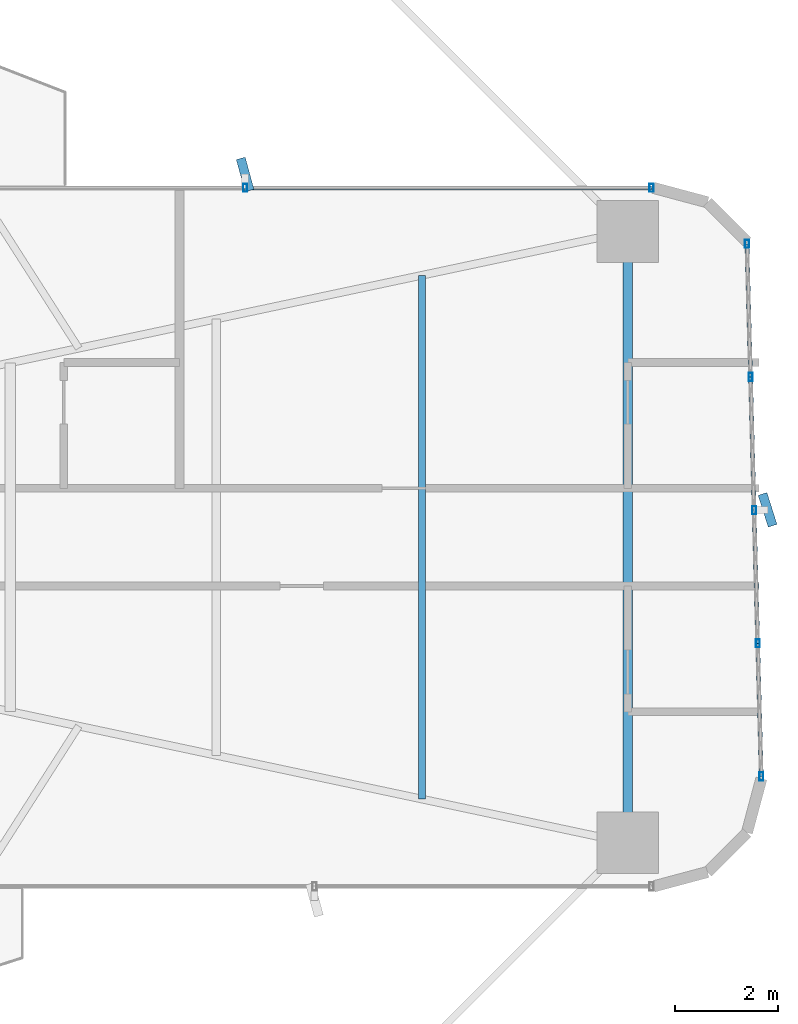
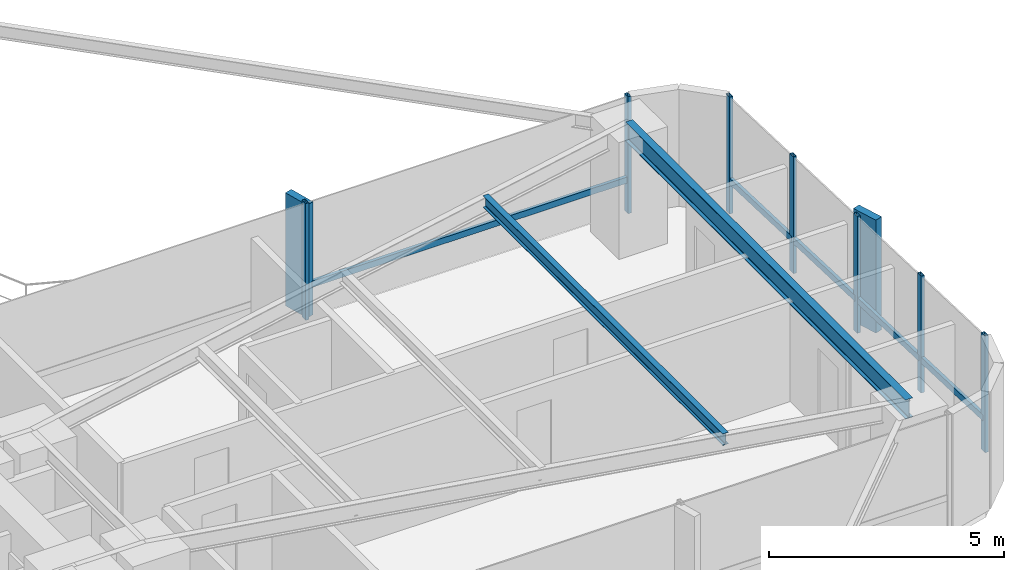
# One storey, part 16 of 25: 14 members, 2 beams, 2 elements without a shape of their own.
"""IFC4 building model written with IfcOpenShell, lengths in metres."""

from ifc_helpers import new_model, si_unit, direction, frame, origin, origin_2d, place, context, subcontext, project, spatial, rectangle, hollow_rectangle, i_section, extrude, source, transform, mapped, material, material_profile, profile_set, type_object, element, aggregate, save


model = new_model("IFC4")

# Units and contexts
model_context = context("Model", 3, precision=1e-05, world=origin(), true_north=direction((0.0, 1.0)))
body_context = subcontext(model_context, "Body", "Model", "MODEL_VIEW")
ifc_project = project(units=[si_unit("LENGTHUNIT", "METRE"), si_unit("AREAUNIT", "SQUARE_METRE"), si_unit("VOLUMEUNIT", "CUBIC_METRE"), si_unit("PLANEANGLEUNIT", "RADIAN"), si_unit("MASSUNIT", "GRAM", prefix="KILO")], contexts=[model_context])

# Site, building, storey
site_placement = place(None, origin())
site = spatial("IfcSite", under=ifc_project, at=site_placement, CompositionType="ELEMENT")
building_placement = place(site_placement, origin())
building = spatial("IfcBuilding", under=site, at=building_placement, Name="Sahyath Konkavel Grand Hotel", CompositionType="ELEMENT")
storey_placement = place(building_placement, frame((0.0, 0.0, 71.14990234375)))
storey = spatial("IfcBuildingStorey", under=building, at=storey_placement, Name="L19", CompositionType="ELEMENT", Elevation=71.14990234375)

# Beams
ifc_material_1 = material(Name="Steel E350", Category="steel")
ifc_material_profile_1 = material_profile(ifc_material_1, i_section(OverallWidth=0.179931640625, OverallDepth=0.5, WebThickness=0.01025390625, FlangeThickness=0.01708984375, FilletRadius=0.01708984375, at=origin_2d()), Name="ISMB 500")
ifc_profile_set_1 = profile_set([ifc_material_profile_1], Name="Steel E350")
beam_type_1 = type_object("IfcBeamType", Name="BM-ISMB500", PredefinedType="BEAM", material=ifc_profile_set_1)
shared_shape_1 = source(origin(), body_context, "Body", "SweptSolid", [
    extrude(i_section(OverallWidth=0.179931640625, OverallDepth=0.5, WebThickness=0.01025390625, FlangeThickness=0.01708984375, FilletRadius=0.01708984375, at=origin_2d()), origin(), (0.0, 0.0, 1.0), 11.89990234375),
])
beam_1_placement = place(storey_placement, frame((22.199951171875, -5.949951171875, 2.780029296875), z_axis=(0.0, 1.0, 0.0), x_axis=(-1.0, 0.0, 0.0)))
element("IfcBeam", 1, at=beam_1_placement, inside=storey, type_object=beam_type_1, Name="L19 Wing Tip Edge Beam E", PredefinedType="BEAM", context=body_context, shape_type="MappedRepresentation", body=[
    mapped(shared_shape_1, transform((0.0, 0.0, 0.0), scale=1.0)),
])
ifc_material_profile_2 = material_profile(ifc_material_1, i_section(OverallWidth=0.139892578125, OverallDepth=0.300048828125, WebThickness=0.0078125, FlangeThickness=0.01318359375, FilletRadius=0.013916015625, at=origin_2d()), Name="ISMB 300")
ifc_profile_set_2 = profile_set([ifc_material_profile_2], Name="Steel E350")
beam_type_2 = type_object("IfcBeamType", Name="BM-ISMB300", PredefinedType="BEAM", material=ifc_profile_set_2)
shared_shape_2 = source(origin(), body_context, "Body", "SweptSolid", [
    extrude(i_section(OverallWidth=0.139892578125, OverallDepth=0.300048828125, WebThickness=0.0078125, FlangeThickness=0.01318359375, FilletRadius=0.013916015625, at=origin_2d()), origin(), (0.0, 0.0, 1.0), 10.19580078125),
])
beam_2_placement = place(storey_placement, frame((18.19189453125, -5.097900390625, 2.880126953125), z_axis=(0.0, 1.0, 0.0), x_axis=(-1.0, 0.0, 0.0)))
element("IfcBeam", 2, at=beam_2_placement, inside=storey, type_object=beam_type_2, Name="L19 Secondary Floor Beam E-3", PredefinedType="BEAM", context=body_context, shape_type="MappedRepresentation", body=[
    mapped(shared_shape_2, transform((0.0, 0.0, 0.0), scale=1.0)),
])

# Curtain wall, member
ifc_material_2 = material(Name="Anodised Bronze Aluminium & Low-E Glazing", Category="aluminium")
curtain_wall_type = type_object("IfcCurtainWallType", Name="CW-ZONE1", PredefinedType="NOTDEFINED", material=ifc_material_2)
curtain_wall_1_placement = place(storey_placement, origin())
curtain_wall_1 = element("IfcCurtainWall", 3, at=curtain_wall_1_placement, inside=storey, type_object=curtain_wall_type, Name="L19 Unitised Curtain Wall F7", PredefinedType="NOTDEFINED")
ifc_material_3 = material(Name="Anodised Bronze Aluminium", Category="aluminium")
ifc_material_profile_3 = material_profile(ifc_material_3, hollow_rectangle(XDim=0.080078125, YDim=0.159912109375, WallThickness=0.006103515625, at=origin_2d()), Name="RHS 160x80x6")
ifc_profile_set_3 = profile_set([ifc_material_profile_3], Name="Anodised Bronze Aluminium")
member_type_1 = type_object("IfcMemberType", Name="CW-TRN-160", PredefinedType="USERDEFINED", material=ifc_profile_set_3)
shared_shape_3 = source(origin(), body_context, "Body", "SweptSolid", [
    extrude(hollow_rectangle(XDim=0.080078125, YDim=0.159912109375, WallThickness=0.006103515625, at=origin_2d()), origin(), (0.0, 0.0, 1.0), 7.909912109375),
])
member_1_placement = place(storey_placement, frame((22.659912109375, 6.800048828125, 0.85009765625), z_axis=(-1.0, 0.0, 0.0), x_axis=(0.0, -1.0, 0.0)))
member_1 = element("IfcMember", 4, at=member_1_placement, type_object=member_type_1, Name="L19 Curtain Wall Transom F7-0-spandrel", ObjectType="TRANSOM", PredefinedType="USERDEFINED", context=body_context, shape_type="MappedRepresentation", body=[
    mapped(shared_shape_3, transform((0.0, 0.0, 0.0), scale=1.0)),
])

# Curtain wall, members
curtain_wall_2_placement = place(storey_placement, origin())
curtain_wall_2 = element("IfcCurtainWall", 5, at=curtain_wall_2_placement, inside=storey, type_object=curtain_wall_type, Name="L19 Unitised Curtain Wall F4", PredefinedType="NOTDEFINED")
shared_shape_4 = source(origin(), body_context, "Body", "SweptSolid", [
    extrude(hollow_rectangle(XDim=0.080078125, YDim=0.159912109375, WallThickness=0.006103515625, at=origin_2d()), origin(), (0.0, 0.0, 1.0), 2.593505859375),
])
member_2_placement = place(storey_placement, frame((24.798828125, -4.659912109375, 0.85009765625), z_axis=(-0.026923093252, 0.999637507825, 0.0), x_axis=(-0.999637507825, -0.026923093252, 0.0)))
member_2 = element("IfcMember", 6, at=member_2_placement, type_object=member_type_1, Name="L19 Curtain Wall Transom F4-0-spandrel", ObjectType="TRANSOM", PredefinedType="USERDEFINED", context=body_context, shape_type="MappedRepresentation", body=[
    mapped(shared_shape_4, transform((0.0, 0.0, 0.0), scale=1.0)),
])
member_3_placement = place(storey_placement, frame((24.6591796875, 0.52490234375, 0.85009765625), z_axis=(-0.02682902444, 0.999640036937, 0.0), x_axis=(-0.999640036937, -0.02682902444, 0.0)))
member_3 = element("IfcMember", 7, at=member_3_placement, type_object=member_type_1, Name="L19 Curtain Wall Transom F4-2-spandrel", ObjectType="TRANSOM", PredefinedType="USERDEFINED", context=body_context, shape_type="MappedRepresentation", body=[
    mapped(shared_shape_4, transform((0.0, 0.0, 0.0), scale=1.0)),
])
member_4_placement = place(storey_placement, frame((24.589599609375, 3.117431640625, 0.85009765625), z_axis=(-0.026923093252, 0.999637507825, 0.0), x_axis=(-0.999637507825, -0.026923093252, 0.0)))
member_4 = element("IfcMember", 8, at=member_4_placement, type_object=member_type_1, Name="L19 Curtain Wall Transom F4-3-spandrel", ObjectType="TRANSOM", PredefinedType="USERDEFINED", context=body_context, shape_type="MappedRepresentation", body=[
    mapped(shared_shape_4, transform((0.0, 0.0, 0.0), scale=1.0)),
])
shared_shape_5 = source(origin(), body_context, "Body", "SweptSolid", [
    extrude(hollow_rectangle(XDim=0.080078125, YDim=0.159912109375, WallThickness=0.006103515625, at=origin_2d()), origin(), (0.0, 0.0, 1.0), 2.59326171875),
])
member_5_placement = place(storey_placement, frame((24.72900390625, -2.0673828125, 0.85009765625), z_axis=(-0.026925627022, 0.99963743958, 0.0), x_axis=(-0.99963743958, -0.026925627022, 0.0)))
member_5 = element("IfcMember", 9, at=member_5_placement, type_object=member_type_1, Name="L19 Curtain Wall Transom F4-1-spandrel", ObjectType="TRANSOM", PredefinedType="USERDEFINED", context=body_context, shape_type="MappedRepresentation", body=[
    mapped(shared_shape_5, transform((0.0, 0.0, 0.0), scale=1.0)),
])
ifc_material_profile_4 = material_profile(ifc_material_3, hollow_rectangle(XDim=0.080078125, YDim=0.159912109375, WallThickness=0.006103515625, at=origin_2d()), Name="RHS 160x80x6")
ifc_profile_set_4 = profile_set([ifc_material_profile_4], Name="Anodised Bronze Aluminium")
member_type_2 = type_object("IfcMemberType", Name="CW-MUL-160", PredefinedType="MULLION", material=ifc_profile_set_4)
shared_shape_6 = source(origin(), body_context, "Body", "SweptSolid", [
    extrude(hollow_rectangle(XDim=0.080078125, YDim=0.159912109375, WallThickness=0.006103515625, at=origin_2d()), origin(), (0.0, 0.0, 1.0), 3.030029296875),
])
member_6_placement = place(storey_placement, frame((24.798828125, -4.659912109375, 0.0), z_axis=(0.0, 0.0, 1.0), x_axis=(1.0, 0.0, 0.0)))
member_6 = element("IfcMember", 10, at=member_6_placement, type_object=member_type_2, Name="L19 Curtain Wall Mullion F4-0", PredefinedType="MULLION", context=body_context, shape_type="MappedRepresentation", body=[
    mapped(shared_shape_6, transform((0.0, 0.0, 0.0), scale=1.0)),
])
member_7_placement = place(storey_placement, frame((24.72900390625, -2.0673828125, 0.0), z_axis=(0.0, 0.0, 1.0), x_axis=(1.0, 0.0, 0.0)))
member_7 = element("IfcMember", 11, at=member_7_placement, type_object=member_type_2, Name="L19 Curtain Wall Mullion F4-1", PredefinedType="MULLION", context=body_context, shape_type="MappedRepresentation", body=[
    mapped(shared_shape_6, transform((0.0, 0.0, 0.0), scale=1.0)),
])
member_8_placement = place(storey_placement, frame((24.6591796875, 0.52490234375, 0.0), z_axis=(0.0, 0.0, 1.0), x_axis=(1.0, 0.0, 0.0)))
member_8 = element("IfcMember", 12, at=member_8_placement, type_object=member_type_2, Name="L19 Curtain Wall Mullion F4-2", PredefinedType="MULLION", context=body_context, shape_type="MappedRepresentation", body=[
    mapped(shared_shape_6, transform((0.0, 0.0, 0.0), scale=1.0)),
])
member_9_placement = place(storey_placement, frame((24.589599609375, 3.117431640625, 0.0), z_axis=(0.0, 0.0, 1.0), x_axis=(1.0, 0.0, 0.0)))
member_9 = element("IfcMember", 13, at=member_9_placement, type_object=member_type_2, Name="L19 Curtain Wall Mullion F4-3", PredefinedType="MULLION", context=body_context, shape_type="MappedRepresentation", body=[
    mapped(shared_shape_6, transform((0.0, 0.0, 0.0), scale=1.0)),
])
member_10_placement = place(storey_placement, frame((24.519775390625, 5.7099609375, 0.0), z_axis=(0.0, 0.0, 1.0), x_axis=(1.0, 0.0, 0.0)))
member_10 = element("IfcMember", 14, at=member_10_placement, type_object=member_type_2, Name="L19 Curtain Wall Mullion F4-4", PredefinedType="MULLION", context=body_context, shape_type="MappedRepresentation", body=[
    mapped(shared_shape_6, transform((0.0, 0.0, 0.0), scale=1.0)),
])

# Member
member_11_placement = place(storey_placement, frame((22.659912109375, 6.800048828125, 0.0), z_axis=(0.0, 0.0, 1.0), x_axis=(1.0, 0.0, 0.0)))
member_11 = element("IfcMember", 15, at=member_11_placement, type_object=member_type_2, Name="L19 Curtain Wall Mullion F7-0", PredefinedType="MULLION", context=body_context, shape_type="MappedRepresentation", body=[
    mapped(shared_shape_6, transform((0.0, 0.0, 0.0), scale=1.0)),
])

member_12_placement = place(storey_placement, frame((14.75, 6.800048828125, 0.0), z_axis=(0.0, 0.0, 1.0), x_axis=(1.0, 0.0, 0.0)))
member_12 = element("IfcMember", 16, at=member_12_placement, type_object=member_type_2, Name="L19 Curtain Wall Mullion F7-1", PredefinedType="MULLION", context=body_context, shape_type="MappedRepresentation", body=[
    mapped(shared_shape_6, transform((0.0, 0.0, 0.0), scale=1.0)),
])

ifc_material_4 = material(Name="Warm Buff Sandstone Cladding on Concrete C50/60", Category="masonry")
ifc_material_profile_5 = material_profile(ifc_material_4, rectangle(XDim=0.179931640625, YDim=0.64990234375, at=origin_2d()), Name="FIN 180x650")
ifc_profile_set_5 = profile_set([ifc_material_profile_5], Name="Warm Buff Sandstone Cladding on Concrete C50/60")
member_type_3 = type_object("IfcMemberType", Name="FIN-SANDSTONE-650", PredefinedType="MULLION", material=ifc_profile_set_5)
shared_shape_7 = source(origin(), body_context, "Body", "SweptSolid", [
    extrude(rectangle(XDim=0.179931640625, YDim=0.64990234375, at=origin_2d()), origin(), (0.0, 0.0, 1.0), 2.929931640625),
])
member_13_placement = place(storey_placement, frame((24.919189453125, 0.531982421875, 0.050048828125), z_axis=(0.0, 0.0, 1.0), x_axis=(0.953348857629, 0.301870759858, 0.0)))
member_13 = element("IfcMember", 17, at=member_13_placement, type_object=member_type_3, Name="L19 Sandstone Vertical Solar Fin FIN F4-2", PredefinedType="MULLION", context=body_context, shape_type="MappedRepresentation", body=[
    mapped(shared_shape_7, transform((0.0, 0.0, 0.0), scale=1.0)),
])

aggregate(curtain_wall_2, [member_6, member_7, member_8, member_13, member_9, member_10, member_2, member_5, member_3, member_4])

member_14_placement = place(storey_placement, frame((14.75, 7.06005859375, 0.050048828125), z_axis=(0.0, 0.0, 1.0), x_axis=(0.965016494472, 0.262189178641, 0.0)))
member_14 = element("IfcMember", 18, at=member_14_placement, type_object=member_type_3, Name="L19 Sandstone Vertical Solar Fin FIN F7-1", PredefinedType="MULLION", context=body_context, shape_type="MappedRepresentation", body=[
    mapped(shared_shape_7, transform((0.0, 0.0, 0.0), scale=1.0)),
])

aggregate(curtain_wall_1, [member_11, member_12, member_14, member_1])

save(model, "model.ifc")
